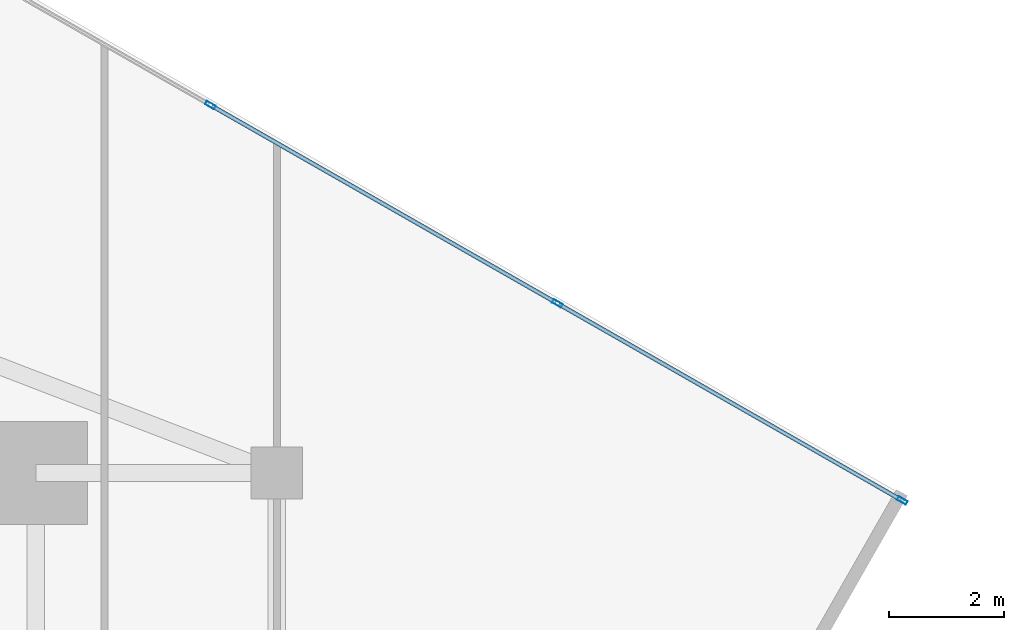
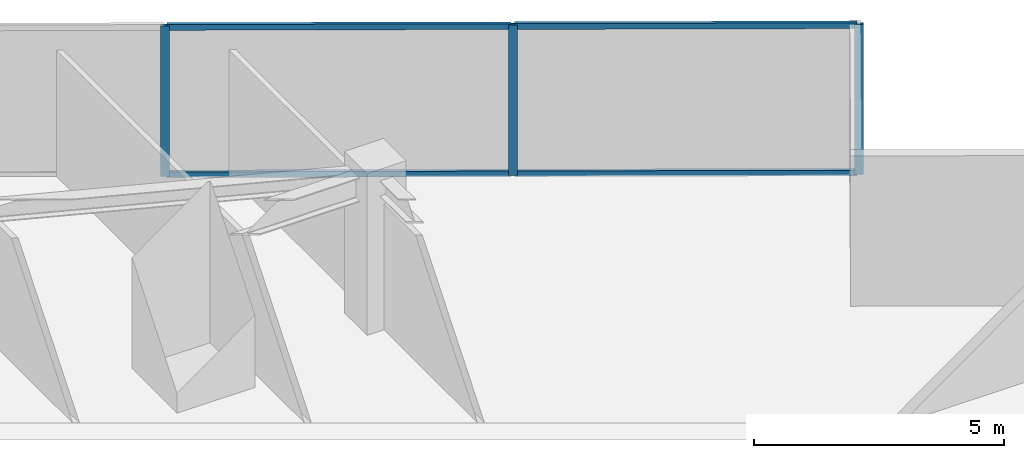
# One storey, part 17 of 24: 7 members, 1 element without a shape of its own.
"""IFC4 building model written with IfcOpenShell, lengths in metres."""

from ifc_helpers import new_model, si_unit, direction, frame, origin, origin_2d, place, context, subcontext, project, spatial, hollow_rectangle, extrude, source, transform, mapped, material, material_profile, profile_set, type_object, type_shapes, element, aggregate, save


model = new_model("IFC4")

# Units and contexts
model_context = context("Model", 3, precision=1e-05, world=origin(), true_north=direction((0.0, 1.0)))
body_context = subcontext(model_context, "Body", "Model", "MODEL_VIEW")
ifc_project = project(units=[si_unit("LENGTHUNIT", "METRE"), si_unit("AREAUNIT", "SQUARE_METRE"), si_unit("VOLUMEUNIT", "CUBIC_METRE"), si_unit("PLANEANGLEUNIT", "RADIAN"), si_unit("MASSUNIT", "GRAM", prefix="KILO")], contexts=[model_context])

# Site, building, storey
site_placement = place(None, origin())
site = spatial("IfcSite", under=ifc_project, at=site_placement, CompositionType="ELEMENT")
building_placement = place(site_placement, origin())
building = spatial("IfcBuilding", under=site, at=building_placement, Name="Krantzveldt Concourse Tower", CompositionType="ELEMENT")
storey_placement = place(building_placement, frame((0.0, 0.0, 169.89990234375)))
storey = spatial("IfcBuildingStorey", under=building, at=storey_placement, Name="L41", CompositionType="ELEMENT", Elevation=169.89990234375)

# Curtain wall, members
ifc_material = material(Name="Anodised aluminium 6063-T6", Category="aluminium")
curtain_wall_type = type_object("IfcCurtainWallType", Name="CW3", PredefinedType="USERDEFINED", material=ifc_material)
curtain_wall_placement = place(storey_placement, origin())
curtain_wall = element("IfcCurtainWall", 1, at=curtain_wall_placement, inside=storey, type_object=curtain_wall_type, Name="CW-L41-F14", ObjectType="UNITISED CURTAIN WALL", PredefinedType="USERDEFINED")
ifc_material_profile_1 = material_profile(ifc_material, hollow_rectangle(XDim=0.070068359375, YDim=0.179931640625, WallThickness=0.0048828125, at=origin_2d()), Name="Anodised aluminium 6063-T6", Category="aluminium")
ifc_profile_set_1 = profile_set([ifc_material_profile_1], Name="Anodised aluminium 6063-T6 - ALU-MULL 180x70x5")
member_type_1 = type_object("IfcMemberType", Name="CW-MUL-180", PredefinedType="MULLION", material=ifc_profile_set_1)
shared_shape_1 = source(origin(), body_context, "Body", "SweptSolid", [
    extrude(hollow_rectangle(XDim=0.070068359375, YDim=0.179931640625, WallThickness=0.0048828125, at=origin_2d()), origin(), (0.0, 0.0, 1.0), 3.670166015625),
])
type_shapes(member_type_1, [shared_shape_1])
member_1_placement = place(storey_placement, frame((61.898681640625, 37.0185546875, 0.0), z_axis=(0.0, 0.0, 1.0), x_axis=(-0.496216394392, -0.868198876949, 0.0)))
member_1 = element("IfcMember", 2, at=member_1_placement, type_object=member_type_1, Name="CW-Z34 mullion 1", PredefinedType="MULLION", context=body_context, shape_type="MappedRepresentation", body=[
    mapped(shared_shape_1, transform((0.0, 0.0, 0.0), x_axis=(1.0, 0.0, 0.0), y_axis=(0.0, 1.0, 0.0), z_axis=(0.0, 0.0, 1.0), scale=1.0)),
])
member_2_placement = place(storey_placement, frame((55.886474609375, 40.454833984375, 0.0), z_axis=(0.0, 0.0, 1.0), x_axis=(-0.496216394392, -0.868198876949, 0.0)))
member_2 = element("IfcMember", 3, at=member_2_placement, type_object=member_type_1, Name="CW-Z34 mullion 2", PredefinedType="MULLION", context=body_context, shape_type="MappedRepresentation", body=[
    mapped(shared_shape_1, transform((0.0, 0.0, 0.0), x_axis=(1.0, 0.0, 0.0), y_axis=(0.0, 1.0, 0.0), z_axis=(0.0, 0.0, 1.0), scale=1.0)),
])
member_3_placement = place(storey_placement, frame((49.84375, 43.90869140625, 0.0), z_axis=(0.0, 0.0, 1.0), x_axis=(-0.496216394392, -0.868198876949, 0.0)))
member_3 = element("IfcMember", 4, at=member_3_placement, type_object=member_type_1, Name="CW-Z34 mullion 3", PredefinedType="MULLION", context=body_context, shape_type="MappedRepresentation", body=[
    mapped(shared_shape_1, transform((0.0, 0.0, 0.0), x_axis=(1.0, 0.0, 0.0), y_axis=(0.0, 1.0, 0.0), z_axis=(0.0, 0.0, 1.0), scale=1.0)),
])
ifc_material_profile_2 = material_profile(ifc_material, hollow_rectangle(XDim=0.070068359375, YDim=0.139892578125, WallThickness=0.0048828125, at=origin_2d()), Name="Anodised aluminium 6063-T6", Category="aluminium")
ifc_profile_set_2 = profile_set([ifc_material_profile_2], Name="Anodised aluminium 6063-T6 - ALU-TRAN 140x70x5")
member_type_2 = type_object("IfcMemberType", Name="CW-TRN-150", PredefinedType="USERDEFINED", material=ifc_profile_set_2)
shared_shape_2 = source(origin(), body_context, "Body", "SweptSolid", [
    extrude(hollow_rectangle(XDim=0.070068359375, YDim=0.139892578125, WallThickness=0.0048828125, at=origin_2d()), origin(), (0.0, 0.0, 1.0), 6.89013671875),
])
member_4_placement = place(storey_placement, frame((55.856201171875, 40.47216796875, 0.03515625), z_axis=(-0.868199527911, 0.496215255443, 0.0), x_axis=(-0.496215255443, -0.868199527911, 0.0)))
member_4 = element("IfcMember", 5, at=member_4_placement, type_object=member_type_2, Name="CW-Z34 transom 2.1", ObjectType="TRANSOM", PredefinedType="USERDEFINED", context=body_context, shape_type="MappedRepresentation", body=[
    mapped(shared_shape_2, transform((0.0, 0.0, 0.0), x_axis=(1.0, 0.0, 0.0), y_axis=(0.0, 1.0, 0.0), z_axis=(0.0, 0.0, 1.0), scale=1.0)),
])
member_5_placement = place(storey_placement, frame((55.856201171875, 40.47216796875, 3.635009765625), z_axis=(-0.868199527911, 0.496215255443, 0.0), x_axis=(-0.496215255443, -0.868199527911, 0.0)))
member_5 = element("IfcMember", 6, at=member_5_placement, type_object=member_type_2, Name="CW-Z34 transom 2.2", ObjectType="TRANSOM", PredefinedType="USERDEFINED", context=body_context, shape_type="MappedRepresentation", body=[
    mapped(shared_shape_2, transform((0.0, 0.0, 0.0), x_axis=(1.0, 0.0, 0.0), y_axis=(0.0, 1.0, 0.0), z_axis=(0.0, 0.0, 1.0), scale=1.0)),
])
shared_shape_3 = source(origin(), body_context, "Body", "SweptSolid", [
    extrude(hollow_rectangle(XDim=0.070068359375, YDim=0.139892578125, WallThickness=0.0048828125, at=origin_2d()), origin(), (0.0, 0.0, 1.0), 6.855224609375),
])
type_shapes(member_type_2, [shared_shape_2, shared_shape_3])
member_6_placement = place(storey_placement, frame((61.868408203125, 37.035888671875, 0.03515625), z_axis=(-0.868201497918, 0.496211808618, 0.0), x_axis=(-0.496211808618, -0.868201497918, 0.0)))
member_6 = element("IfcMember", 7, at=member_6_placement, type_object=member_type_2, Name="CW-Z34 transom 1.1", ObjectType="TRANSOM", PredefinedType="USERDEFINED", context=body_context, shape_type="MappedRepresentation", body=[
    mapped(shared_shape_3, transform((0.0, 0.0, 0.0), x_axis=(1.0, 0.0, 0.0), y_axis=(0.0, 1.0, 0.0), z_axis=(0.0, 0.0, 1.0), scale=1.0)),
])
member_7_placement = place(storey_placement, frame((61.868408203125, 37.035888671875, 3.635009765625), z_axis=(-0.868201497918, 0.496211808618, 0.0), x_axis=(-0.496211808618, -0.868201497918, 0.0)))
member_7 = element("IfcMember", 8, at=member_7_placement, type_object=member_type_2, Name="CW-Z34 transom 1.2", ObjectType="TRANSOM", PredefinedType="USERDEFINED", context=body_context, shape_type="MappedRepresentation", body=[
    mapped(shared_shape_3, transform((0.0, 0.0, 0.0), x_axis=(1.0, 0.0, 0.0), y_axis=(0.0, 1.0, 0.0), z_axis=(0.0, 0.0, 1.0), scale=1.0)),
])
aggregate(curtain_wall, [member_1, member_2, member_3, member_6, member_7, member_4, member_5])

save(model, "model.ifc")
